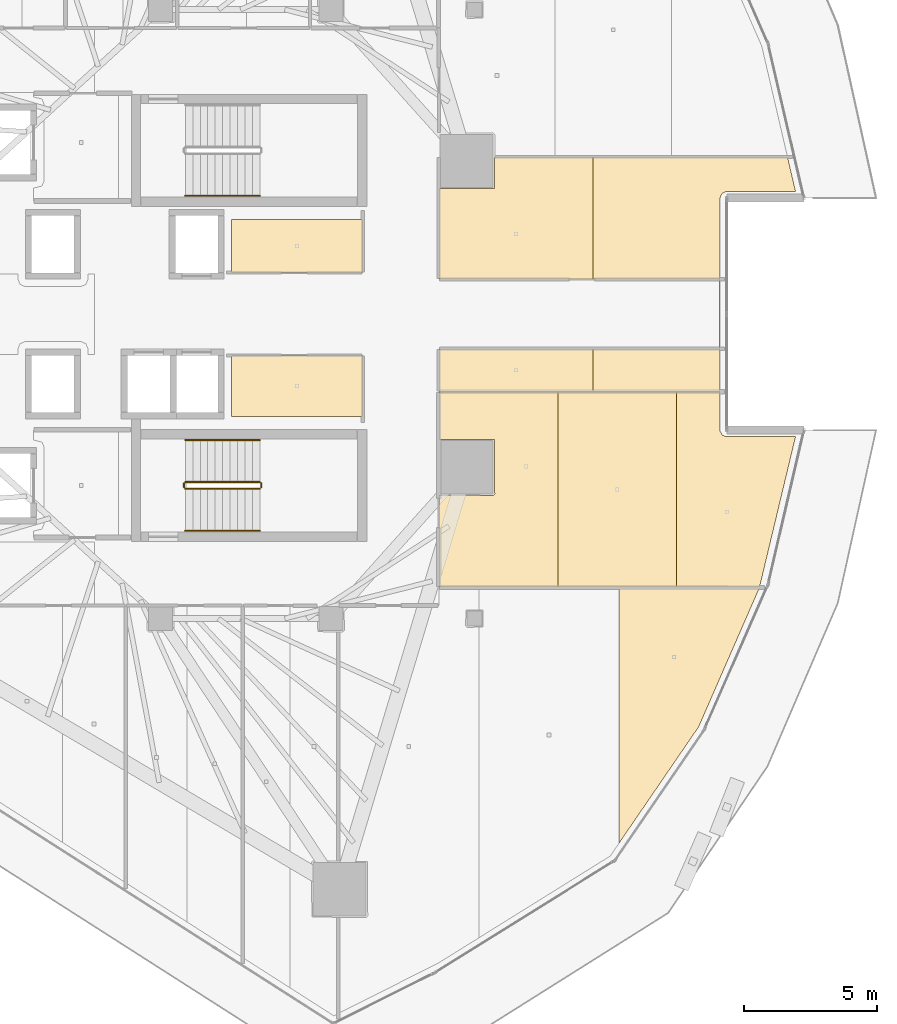
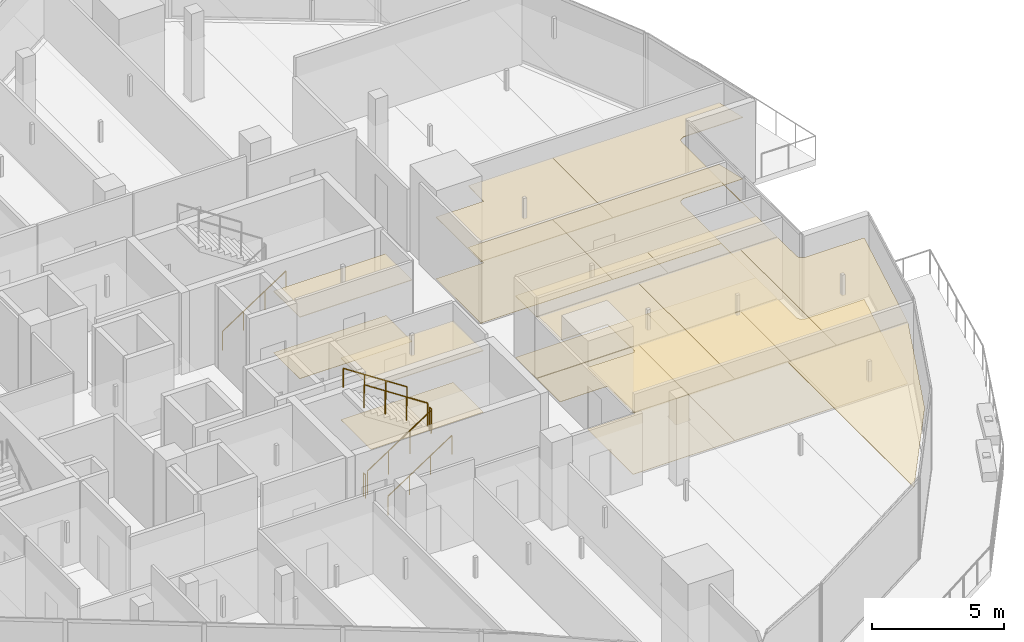
# One storey, part 31 of 33: 17 coverings, 7 railings.
"""IFC4 building model written with IfcOpenShell, lengths in metres."""

import ifcopenshell
import ifcopenshell.guid

model = None  # the IFC model being written
_history = None  # IfcOwnerHistory: only IFC2X3 demands one
_inside = {}  # id of a spatial element -> (the spatial element, [elements in it])
_under = {}  # id of a project, library or spatial element -> (it, [spatial elements below it])
_declared = {}  # id of a project -> (the project, [libraries it declares])
_typed = {}  # id of a type object -> (the type object, [elements of that type])
_made_of = {}  # id of a material, layer set ... -> (it, [elements and type objects made of it])


def new_model(schema):
    """Start an empty IFC model of exactly this schema.

    Asked for "IFC4X3", IfcOpenShell would pick the latest addendum, in which some entities
    have other attributes; the version numbers below select the first issue.
    IFC2X3 requires an IfcOwnerHistory on every rooted entity: one is made here for all.
    """
    global model, _history
    if schema == "IFC4X3":
        model = ifcopenshell.file(schema_version=(4, 3, 0, 0))
    else:
        model = ifcopenshell.file(schema=schema)
    _inside.clear()
    _under.clear()
    _declared.clear()
    _typed.clear()
    _made_of.clear()
    _history = None
    if model.schema == "IFC2X3":
        org = make("IfcOrganization", Name="unknown")
        user = make(
            "IfcPersonAndOrganization",
            ThePerson=make("IfcPerson", FamilyName="unknown"),
            TheOrganization=org,
        )
        app = make(
            "IfcApplication",
            ApplicationDeveloper=org,
            Version="unknown",
            ApplicationFullName="unknown",
            ApplicationIdentifier="unknown",
        )
        _history = make(
            "IfcOwnerHistory",
            OwningUser=user,
            OwningApplication=app,
            ChangeAction="ADDED",
            CreationDate=0,
        )
    return model


def make(cls, **values):
    """One entity of the class cls with the attributes given. An attribute that is None is left unset."""
    return model.create_entity(
        cls, **{name: value for name, value in values.items() if value is not None}
    )


def rooted(cls, **values):
    """An entity with a GlobalId (a new one), such as an element, a storey or a relation."""
    return make(cls, GlobalId=ifcopenshell.guid.new(), OwnerHistory=_history, **values)


def si_unit(unit_type, name, prefix=None):
    """IfcSIUnit, for example si_unit("LENGTHUNIT", "METRE", prefix="MILLI")."""
    return make("IfcSIUnit", UnitType=unit_type, Prefix=prefix, Name=name)


def assignment(units):
    """IfcUnitAssignment: the units of a project."""
    return None if units is None else make("IfcUnitAssignment", Units=units)


def point(xyz):
    """IfcCartesianPoint."""
    return None if xyz is None else make("IfcCartesianPoint", Coordinates=xyz)


def direction(xyz):
    """IfcDirection."""
    return None if xyz is None else make("IfcDirection", DirectionRatios=xyz)


def frame(location, z_axis=None, x_axis=None):
    """IfcAxis2Placement3D, a coordinate frame: its origin and axes. An axis left out is left unset."""
    return make(
        "IfcAxis2Placement3D",
        Location=point(location),
        Axis=direction(z_axis),
        RefDirection=direction(x_axis),
    )


def frame_2d(location, x_axis=None):
    """IfcAxis2Placement2D, a coordinate frame in the plane: its origin and x axis."""
    return make(
        "IfcAxis2Placement2D", Location=point(location), RefDirection=direction(x_axis)
    )


def origin():
    """The frame at (0, 0, 0) with its axes left unset."""
    return frame((0.0, 0.0, 0.0))


def origin_2d():
    """The frame at (0, 0) in the plane with its x axis left unset."""
    return frame_2d((0.0, 0.0))


def place(relative_to, where):
    """IfcLocalPlacement: puts the frame where relative to a parent placement (None: the world)."""
    return make(
        "IfcLocalPlacement", PlacementRelTo=relative_to, RelativePlacement=where
    )


def context(
    kind, dimensions, precision=None, world=None, true_north=None, identifier=None
):
    """IfcGeometricRepresentationContext, for example the 3D "Model" context."""
    return make(
        "IfcGeometricRepresentationContext",
        ContextIdentifier=identifier,
        ContextType=kind,
        CoordinateSpaceDimension=dimensions,
        Precision=precision,
        WorldCoordinateSystem=world,
        TrueNorth=true_north,
    )


def subcontext(parent, identifier, kind, view, scale=None):
    """IfcGeometricRepresentationSubContext, for example "Body" below "Model"."""
    return make(
        "IfcGeometricRepresentationSubContext",
        ContextIdentifier=identifier,
        ContextType=kind,
        ParentContext=parent,
        TargetScale=scale,
        TargetView=view,
    )


def project(units=None, contexts=None):
    """IfcProject with its units and contexts."""
    return rooted(
        "IfcProject",
        Name="project",
        RepresentationContexts=contexts,
        UnitsInContext=assignment(units),
    )


def spatial(cls, under=None, at=None, **own):
    """A site, building, storey or space (cls), placed at a placement, below another one or the project."""
    s = rooted(cls, ObjectPlacement=at, **own)
    if under is not None:
        _under.setdefault(under.id(), (under, []))[1].append(s)
    return s


def polyline(points):
    """IfcPolyline through the points."""
    return make("IfcPolyline", Points=[point(p) for p in points])


def profile(cls, at=None, kind="AREA", **sizes):
    """A parametric profile (cls). Its sizes go by their IFC names, for example OverallWidth=200.0."""
    return make(cls, ProfileType=kind, Position=at, **sizes)


def circle(**sizes):
    """IfcCircleProfileDef."""
    return profile("IfcCircleProfileDef", **sizes)


def outline(outer, holes=None, kind="AREA"):
    """IfcArbitraryClosedProfileDef: a profile drawn as a closed curve; with holes, ...WithVoids."""
    if holes is None:
        return make("IfcArbitraryClosedProfileDef", ProfileType=kind, OuterCurve=outer)
    return make(
        "IfcArbitraryProfileDefWithVoids",
        ProfileType=kind,
        OuterCurve=outer,
        InnerCurves=holes,
    )


def extrude(swept, where, along, depth):
    """IfcExtrudedAreaSolid: the profile swept, set in the frame where, extruded along a direction by depth."""
    return make(
        "IfcExtrudedAreaSolid",
        SweptArea=swept,
        Position=where,
        ExtrudedDirection=direction(along),
        Depth=depth,
    )


def shape(context_of_items, identifier, shape_type, items):
    """IfcShapeRepresentation: the items that make up one representation, for example the "Body"."""
    return make(
        "IfcShapeRepresentation",
        ContextOfItems=context_of_items,
        RepresentationIdentifier=identifier,
        RepresentationType=shape_type,
        Items=items,
    )


def material(Name=None, Category=None):
    """IfcMaterial."""
    return make("IfcMaterial", Name=Name, Category=Category)


def layer(
    of_material, thickness, ventilated=None, Name=None, Category=None, Priority=None
):
    """IfcMaterialLayer: one layer of a wall or slab, of a material (None: an air gap)."""
    return make(
        "IfcMaterialLayer",
        Material=of_material,
        LayerThickness=thickness,
        IsVentilated=ventilated,
        Name=Name,
        Category=Category,
        Priority=Priority,
    )


def layer_set(layers, Name=None):
    """IfcMaterialLayerSet."""
    return make("IfcMaterialLayerSet", MaterialLayers=layers, LayerSetName=Name)


def made_of(thing, what):
    """Note that an element or type object is made of a material, layer set ...; save() writes the relation."""
    if what is not None:
        _made_of.setdefault(what.id(), (what, []))[1].append(thing)
    return thing


def type_object(cls, material=None, **own):
    """A type object (cls), such as IfcWallType, which elements share."""
    return made_of(rooted(cls, **own), material)


def element(
    cls,
    number,
    at=None,
    inside=None,
    cuts=None,
    type_object=None,
    material=None,
    context=None,
    identifier="Body",
    shape_type=None,
    held_by="IfcProductDefinitionShape",
    body=None,
    shapes=None,
    **own,
):
    """One element of the class cls, such as IfcWall. Its Tag is "e" and its number.

    at: its placement. inside: the storey or other place that contains it. cuts: it is an
    opening in that element (IfcRelVoidsElement). A single representation is given by context,
    identifier, shape_type and body (its items); several are given by shapes. held_by: the class
    of the entity that holds the representations. save() writes the other relations.
    """
    e = rooted(cls, Tag="e%d" % number, ObjectPlacement=at, **own)
    if body is not None:
        shapes = [shape(context, identifier, shape_type, body)]
    if shapes is not None:
        e.Representation = make(held_by, Representations=shapes)
    if inside is not None:
        _inside.setdefault(inside.id(), (inside, []))[1].append(e)
    if cuts is not None:
        rooted(
            "IfcRelVoidsElement", RelatingBuildingElement=cuts, RelatedOpeningElement=e
        )
    if type_object is not None:
        _typed.setdefault(type_object.id(), (type_object, []))[1].append(e)
    return made_of(e, material)


def aggregate(whole, parts):
    """IfcRelAggregates: a whole, such as a stair, and the parts it consists of."""
    return rooted("IfcRelAggregates", RelatingObject=whole, RelatedObjects=parts)


def save(model, path):
    """Write the relations noted so far, then the file.

    IfcRelAggregates (storeys below a building ...), IfcRelContainedInSpatialStructure (elements
    in a storey), IfcRelDefinesByType, IfcRelAssociatesMaterial and IfcRelDeclares: one each for
    every whole, place, type object, material and project.
    """
    for whole, parts in _under.values():
        aggregate(whole, parts)
    for where, things in _inside.values():
        rooted(
            "IfcRelContainedInSpatialStructure",
            RelatedElements=things,
            RelatingStructure=where,
        )
    for kind, things in _typed.values():
        rooted("IfcRelDefinesByType", RelatedObjects=things, RelatingType=kind)
    for what, things in _made_of.values():
        rooted("IfcRelAssociatesMaterial", RelatedObjects=things, RelatingMaterial=what)
    for by, libraries in _declared.values():
        rooted("IfcRelDeclares", RelatingContext=by, RelatedDefinitions=libraries)
    model.write(path)


model = new_model("IFC4")

# Units and contexts
model_context = context("Model", 3, precision=1e-05, world=origin(), true_north=direction((0.0, 1.0)))
body_context = subcontext(model_context, "Body", "Model", "MODEL_VIEW")
ifc_project = project(units=[si_unit("LENGTHUNIT", "METRE"), si_unit("AREAUNIT", "SQUARE_METRE"), si_unit("VOLUMEUNIT", "CUBIC_METRE"), si_unit("PLANEANGLEUNIT", "RADIAN"), si_unit("MASSUNIT", "GRAM", prefix="KILO")], contexts=[model_context])

# Site, building, storey
site_placement = place(None, origin())
site = spatial("IfcSite", under=ifc_project, at=site_placement, CompositionType="ELEMENT")
building_placement = place(site_placement, origin())
building = spatial("IfcBuilding", under=site, at=building_placement, Name="Qorvath Tower", CompositionType="ELEMENT")
storey_placement = place(building_placement, frame((0.0, 0.0, 209.10009765625)))
storey = spatial("IfcBuildingStorey", under=building, at=storey_placement, Name="L48", CompositionType="ELEMENT", Elevation=209.10009765625)

# Coverings
ifc_material_1 = material(Name="Acoustic mineral fibre ceiling tile", Category="gypsum")
ifc_layer_1 = layer(ifc_material_1, 0.030029296875)
ifc_layer_set_1 = layer_set([ifc_layer_1], Name="COV-CEIL")
covering_type_1 = type_object("IfcCoveringType", Name="COV-CEIL", PredefinedType="CEILING", material=ifc_layer_set_1)
covering_1_placement = place(storey_placement, frame((0.0, 0.0, 2.849853515625)))
element("IfcCovering", 1, at=covering_1_placement, inside=storey, type_object=covering_type_1, Name="L48 Suspended Acoustic Ceiling 003", PredefinedType="CEILING", context=body_context, shape_type="SweptSolid", body=[
    extrude(outline(polyline([(-16.0048828125, 3.56005859375), (-20.93994140625, 3.56005859375), (-20.93994140625, 1.56494140625), (-16.0048828125, 1.56494140625), (-16.0048828125, 3.56005859375)])), origin(), (0.0, 0.0, 1.0), 0.030029296875),
])
covering_2_placement = place(storey_placement, frame((0.0, 0.0, 2.849853515625)))
element("IfcCovering", 2, at=covering_2_placement, inside=storey, type_object=covering_type_1, Name="L48 Suspended Acoustic Ceiling 004", PredefinedType="CEILING", context=body_context, shape_type="SweptSolid", body=[
    extrude(outline(polyline([(-20.93994140625, -1.56494140625), (-20.93994140625, -3.85009765625), (-16.0048828125, -3.85009765625), (-16.0048828125, -1.56494140625), (-20.93994140625, -1.56494140625)])), origin(), (0.0, 0.0, 1.0), 0.030029296875),
])
covering_3_placement = place(storey_placement, frame((0.0, 0.0, 2.849853515625)))
element("IfcCovering", 3, at=covering_3_placement, inside=storey, type_object=covering_type_1, Name="L48 Suspended Acoustic Ceiling 030", PredefinedType="CEILING", context=body_context, shape_type="SweptSolid", body=[
    extrude(outline(polyline([(-6.35595703125, -10.28173828125), (-6.35595703125, -19.885498046875), (-3.366943359375, -15.516845703125), (-1.0810546875, -10.283935546875), (-6.35595703125, -10.28173828125)])), origin(), (0.0, 0.0, 1.0), 0.030029296875),
])
covering_4_placement = place(storey_placement, frame((0.0, 0.0, 2.849853515625)))
element("IfcCovering", 4, at=covering_4_placement, inside=storey, type_object=covering_type_1, Name="L48 Suspended Acoustic Ceiling 031", PredefinedType="CEILING", context=body_context, shape_type="SweptSolid", body=[
    extrude(outline(polyline([(-8.6669921875, -10.262939453125), (-8.6669921875, -2.930908203125), (-13.136962890625, -2.930908203125), (-13.136962890625, -4.714599609375), (-11.054443359375, -4.715576171875), (-11.036865234375, -6.7578125), (-11.0966796875, -6.81787109375), (-13.136962890625, -6.80126953125), (-13.136962890625, -10.26123046875), (-8.6669921875, -10.262939453125)])), origin(), (0.0, 0.0, 1.0), 0.030029296875),
])
covering_5_placement = place(storey_placement, frame((0.0, 0.0, 2.849853515625)))
element("IfcCovering", 5, at=covering_5_placement, inside=storey, type_object=covering_type_1, Name="L48 Suspended Acoustic Ceiling 032", PredefinedType="CEILING", context=body_context, shape_type="SweptSolid", body=[
    extrude(outline(polyline([(-4.197021484375, -10.2646484375), (-4.197021484375, -2.930908203125), (-8.6669921875, -2.930908203125), (-8.6669921875, -10.262939453125), (-4.197021484375, -10.2646484375)])), origin(), (0.0, 0.0, 1.0), 0.030029296875),
])
covering_6_placement = place(storey_placement, frame((0.0, 0.0, 2.849853515625)))
element("IfcCovering", 6, at=covering_6_placement, inside=storey, type_object=covering_type_1, Name="L48 Suspended Acoustic Ceiling 033", PredefinedType="CEILING", context=body_context, shape_type="SweptSolid", body=[
    extrude(outline(polyline([(-2.473876953125, -4.5537109375), (-2.56103515625, -4.406494140625), (-2.56591796875, -2.930908203125), (-4.197021484375, -2.930908203125), (-4.197021484375, -10.2646484375), (-1.079345703125, -10.265869140625), (0.273193359375, -4.61279296875), (-2.33544921875, -4.611572265625), (-2.473876953125, -4.5537109375)])), origin(), (0.0, 0.0, 1.0), 0.030029296875),
])
covering_7_placement = place(storey_placement, frame((0.0, 0.0, 2.849853515625)))
element("IfcCovering", 7, at=covering_7_placement, inside=storey, type_object=covering_type_1, Name="L48 Suspended Acoustic Ceiling 034", PredefinedType="CEILING", context=body_context, shape_type="SweptSolid", body=[
    extrude(outline(polyline([(-7.342529296875, 1.31298828125), (-7.342529296875, 5.900390625), (-11.036865234375, 5.900390625), (-11.054443359375, 4.715576171875), (-13.136962890625, 4.714599609375), (-13.136962890625, 1.31298828125), (-7.342529296875, 1.31298828125)])), origin(), (0.0, 0.0, 1.0), 0.030029296875),
])
covering_8_placement = place(storey_placement, frame((0.0, 0.0, 2.849853515625)))
element("IfcCovering", 8, at=covering_8_placement, inside=storey, type_object=covering_type_1, Name="L48 Suspended Acoustic Ceiling 035", PredefinedType="CEILING", context=body_context, shape_type="SweptSolid", body=[
    extrude(outline(polyline([(-7.342529296875, -2.912841796875), (-7.342529296875, -1.310302734375), (-13.136962890625, -1.31298828125), (-13.136962890625, -2.912841796875), (-7.342529296875, -2.912841796875)])), origin(), (0.0, 0.0, 1.0), 0.030029296875),
])
covering_9_placement = place(storey_placement, frame((0.0, 0.0, 2.849853515625)))
element("IfcCovering", 9, at=covering_9_placement, inside=storey, type_object=covering_type_1, Name="L48 Suspended Acoustic Ceiling 036", PredefinedType="CEILING", context=body_context, shape_type="SweptSolid", body=[
    extrude(outline(polyline([(-2.506591796875, 4.520751953125), (-2.33544921875, 4.611572265625), (0.273193359375, 4.61279296875), (-0.026611328125, 5.900390625), (-7.342529296875, 5.900390625), (-7.342529296875, 1.31298828125), (-2.5830078125, 1.31298828125), (-2.577880859375, -1.30810546875), (-7.342529296875, -1.310302734375), (-7.342529296875, -2.912841796875), (-2.56591796875, -2.912841796875), (-2.56591796875, 4.35791015625), (-2.506591796875, 4.520751953125)])), origin(), (0.0, 0.0, 1.0), 0.030029296875),
])
ifc_material_2 = material(Name="Low-VOC modular carpet tile", Category="textile")
ifc_layer_2 = layer(ifc_material_2, 0.014892578125)
ifc_layer_set_2 = layer_set([ifc_layer_2], Name="COV-FLOOR-CPT")
covering_type_2 = type_object("IfcCoveringType", Name="COV-FLOOR-CPT", PredefinedType="FLOORING", material=ifc_layer_set_2)
covering_10_placement = place(storey_placement, origin())
element("IfcCovering", 10, at=covering_10_placement, inside=storey, type_object=covering_type_2, Name="L48 Floor Finish 003", PredefinedType="FLOORING", context=body_context, shape_type="SweptSolid", body=[
    extrude(outline(polyline([(-16.0048828125, 3.56005859375), (-20.93994140625, 3.56005859375), (-20.93994140625, 1.56494140625), (-16.0048828125, 1.56494140625), (-16.0048828125, 3.56005859375)])), origin(), (0.0, 0.0, 1.0), 0.014892578125),
])
covering_11_placement = place(storey_placement, origin())
element("IfcCovering", 11, at=covering_11_placement, inside=storey, type_object=covering_type_2, Name="L48 Floor Finish 004", PredefinedType="FLOORING", context=body_context, shape_type="SweptSolid", body=[
    extrude(outline(polyline([(-20.93994140625, -1.56494140625), (-20.93994140625, -3.85009765625), (-16.0048828125, -3.85009765625), (-16.0048828125, -1.56494140625), (-20.93994140625, -1.56494140625)])), origin(), (0.0, 0.0, 1.0), 0.014892578125),
])
covering_12_placement = place(storey_placement, origin())
element("IfcCovering", 12, at=covering_12_placement, inside=storey, type_object=covering_type_2, Name="L48 Floor Finish 031", PredefinedType="FLOORING", context=body_context, shape_type="SweptSolid", body=[
    extrude(outline(polyline([(-8.6669921875, -10.262939453125), (-8.6669921875, -2.930908203125), (-13.136962890625, -2.930908203125), (-13.136962890625, -4.714599609375), (-11.054443359375, -4.715576171875), (-11.036865234375, -6.7578125), (-11.0966796875, -6.81787109375), (-13.136962890625, -6.80126953125), (-13.136962890625, -10.26123046875), (-8.6669921875, -10.262939453125)])), origin(), (0.0, 0.0, 1.0), 0.014892578125),
])
covering_13_placement = place(storey_placement, origin())
element("IfcCovering", 13, at=covering_13_placement, inside=storey, type_object=covering_type_2, Name="L48 Floor Finish 032", PredefinedType="FLOORING", context=body_context, shape_type="SweptSolid", body=[
    extrude(outline(polyline([(-4.197021484375, -10.2646484375), (-4.197021484375, -2.930908203125), (-8.6669921875, -2.930908203125), (-8.6669921875, -10.262939453125), (-4.197021484375, -10.2646484375)])), origin(), (0.0, 0.0, 1.0), 0.014892578125),
])
covering_14_placement = place(storey_placement, origin())
element("IfcCovering", 14, at=covering_14_placement, inside=storey, type_object=covering_type_2, Name="L48 Floor Finish 033", PredefinedType="FLOORING", context=body_context, shape_type="SweptSolid", body=[
    extrude(outline(polyline([(-2.473876953125, -4.5537109375), (-2.56103515625, -4.406494140625), (-2.56591796875, -2.930908203125), (-4.197021484375, -2.930908203125), (-4.197021484375, -10.2646484375), (-1.079345703125, -10.265869140625), (0.273193359375, -4.61279296875), (-2.33544921875, -4.611572265625), (-2.473876953125, -4.5537109375)])), origin(), (0.0, 0.0, 1.0), 0.014892578125),
])
covering_15_placement = place(storey_placement, origin())
element("IfcCovering", 15, at=covering_15_placement, inside=storey, type_object=covering_type_2, Name="L48 Floor Finish 034", PredefinedType="FLOORING", context=body_context, shape_type="SweptSolid", body=[
    extrude(outline(polyline([(-7.342529296875, 1.31298828125), (-7.342529296875, 5.900390625), (-11.036865234375, 5.900390625), (-11.054443359375, 4.715576171875), (-13.136962890625, 4.714599609375), (-13.136962890625, 1.31298828125), (-7.342529296875, 1.31298828125)])), origin(), (0.0, 0.0, 1.0), 0.014892578125),
])
covering_16_placement = place(storey_placement, origin())
element("IfcCovering", 16, at=covering_16_placement, inside=storey, type_object=covering_type_2, Name="L48 Floor Finish 035", PredefinedType="FLOORING", context=body_context, shape_type="SweptSolid", body=[
    extrude(outline(polyline([(-7.342529296875, -2.912841796875), (-7.342529296875, -1.310302734375), (-13.136962890625, -1.31298828125), (-13.136962890625, -2.912841796875), (-7.342529296875, -2.912841796875)])), origin(), (0.0, 0.0, 1.0), 0.014892578125),
])
covering_17_placement = place(storey_placement, origin())
element("IfcCovering", 17, at=covering_17_placement, inside=storey, type_object=covering_type_2, Name="L48 Floor Finish 036", PredefinedType="FLOORING", context=body_context, shape_type="SweptSolid", body=[
    extrude(outline(polyline([(-2.506591796875, 4.520751953125), (-2.33544921875, 4.611572265625), (0.273193359375, 4.61279296875), (-0.026611328125, 5.900390625), (-7.342529296875, 5.900390625), (-7.342529296875, 1.31298828125), (-2.5830078125, 1.31298828125), (-2.577880859375, -1.30810546875), (-7.342529296875, -1.310302734375), (-7.342529296875, -2.912841796875), (-2.56591796875, -2.912841796875), (-2.56591796875, 4.35791015625), (-2.506591796875, 4.520751953125)])), origin(), (0.0, 0.0, 1.0), 0.014892578125),
])

# Railings
ifc_material_3 = material(Name="Painted galvanised steel", Category="steel")
railing_type_1 = type_object("IfcRailingType", Name="RL-STR-GRD", PredefinedType="GUARDRAIL", material=ifc_material_3)
railing_1_placement = place(storey_placement, frame((-22.669921875, -6.570068359375, 0.18408203125)))
element("IfcRailing", 18, at=railing_1_placement, inside=storey, type_object=railing_type_1, Name="L48 TS2 stair guard 1", PredefinedType="GUARDRAIL", context=body_context, shape_type="SweptSolid", body=[
    extrude(circle(Radius=0.02392578125, at=origin_2d()), frame((0.0, 0.0, 1.076171875), z_axis=(0.835575518608, 0.0, 0.549375602573), x_axis=(0.0, 1.0, 0.0)), (0.0, 0.0, 1.0), 3.350830078125),
    extrude(circle(Radius=0.02099609375, at=origin_2d()), origin(), (0.0, 0.0, 1.0), 1.052001953125),
    extrude(circle(Radius=0.02099609375, at=origin_2d()), frame((0.933349609375, 0.0, 0.613525390625)), (0.0, 0.0, 1.0), 1.052001953125),
    extrude(circle(Radius=0.02099609375, at=origin_2d()), frame((1.866455078125, 0.0, 1.227294921875)), (0.0, 0.0, 1.0), 1.052001953125),
    extrude(circle(Radius=0.02099609375, at=origin_2d()), frame((2.7998046875, 0.0, 1.8408203125)), (0.0, 0.0, 1.0), 1.052001953125),
])
railing_2_placement = place(storey_placement, frame((-19.820068359375, -6.52001953125, 2.02490234375)))
element("IfcRailing", 19, at=railing_2_placement, inside=storey, type_object=railing_type_1, Name="L48 TS2 stair guard 2", PredefinedType="GUARDRAIL", context=body_context, shape_type="SweptSolid", body=[
    extrude(circle(Radius=0.02392578125, at=origin_2d()), frame((0.0, 0.0, 1.076171875), z_axis=(0.0, 1.0, 0.0), x_axis=(-1.0, 0.0, 0.0)), (0.0, 0.0, 1.0), 0.14990234375),
    extrude(circle(Radius=0.02099609375, at=origin_2d()), origin(), (0.0, 0.0, 1.0), 1.052001953125),
    extrude(circle(Radius=0.02099609375, at=origin_2d()), frame((0.0, 0.14990234375, 0.0)), (0.0, 0.0, 1.0), 1.052001953125),
])
railing_3_placement = place(storey_placement, frame((-19.8701171875, -6.320068359375, 2.208984375)))
element("IfcRailing", 20, at=railing_3_placement, inside=storey, type_object=railing_type_1, Name="L48 TS2 stair guard 3", PredefinedType="GUARDRAIL", context=body_context, shape_type="SweptSolid", body=[
    extrude(circle(Radius=0.02392578125, at=origin_2d()), frame((0.0, 0.0, 1.076171875), z_axis=(-0.835575518608, 0.0, 0.549375602573), x_axis=(0.0, -1.0, 0.0)), (0.0, 0.0, 1.0), 3.350830078125),
    extrude(circle(Radius=0.02099609375, at=origin_2d()), origin(), (0.0, 0.0, 1.0), 1.052001953125),
    extrude(circle(Radius=0.02099609375, at=origin_2d()), frame((-0.933349609375, 0.0, 0.613525390625)), (0.0, 0.0, 1.0), 1.052001953125),
    extrude(circle(Radius=0.02099609375, at=origin_2d()), frame((-1.866455078125, 0.0, 1.227294921875)), (0.0, 0.0, 1.0), 1.052001953125),
    extrude(circle(Radius=0.02099609375, at=origin_2d()), frame((-2.7998046875, 0.0, 1.8408203125)), (0.0, 0.0, 1.0), 1.052001953125),
])
railing_4_placement = place(storey_placement, frame((-22.719970703125, -6.52001953125, 0.0)))
element("IfcRailing", 21, at=railing_4_placement, inside=storey, type_object=railing_type_1, Name="L48 TS2 stair guard 4", PredefinedType="GUARDRAIL", context=body_context, shape_type="SweptSolid", body=[
    extrude(circle(Radius=0.02392578125, at=origin_2d()), frame((0.0, 0.0, 1.076171875), z_axis=(0.0, 1.0, 0.0), x_axis=(-1.0, 0.0, 0.0)), (0.0, 0.0, 1.0), 0.14990234375),
    extrude(circle(Radius=0.02099609375, at=origin_2d()), origin(), (0.0, 0.0, 1.0), 1.052001953125),
    extrude(circle(Radius=0.02099609375, at=origin_2d()), frame((0.0, 0.14990234375, 0.0)), (0.0, 0.0, 1.0), 1.052001953125),
])
ifc_material_4 = material(Name="Brushed stainless steel AISI 304", Category="steel")
railing_type_2 = type_object("IfcRailingType", Name="RL-STR-HND", PredefinedType="HANDRAIL", material=ifc_material_4)
for number, where, name in (
    (22, (-22.669921875, 4.449951171875, 0.18408203125), "L48 TS1 stair handrail 1"),
    (23, (-22.669921875, -8.14990234375, 0.18408203125), "L48 TS2 stair handrail 1"),
):
    element("IfcRailing", number, at=place(storey_placement, frame(where)), inside=storey, type_object=railing_type_2, Name=name, PredefinedType="HANDRAIL", context=body_context, shape_type="SweptSolid", body=[
        extrude(circle(Radius=0.02392578125, at=origin_2d()), frame((0.0, 0.0, 0.8759765625), z_axis=(0.835575518608, 0.0, 0.549375602573), x_axis=(0.0, 1.0, 0.0)), (0.0, 0.0, 1.0), 3.350830078125),
        extrude(circle(Radius=0.02099609375, at=origin_2d()), origin(), (0.0, 0.0, 1.0), 0.851806640625),
        extrude(circle(Radius=0.02099609375, at=origin_2d()), frame((0.933349609375, 0.0, 0.613525390625)), (0.0, 0.0, 1.0), 0.851806640625),
        extrude(circle(Radius=0.02099609375, at=origin_2d()), frame((1.866455078125, 0.0, 1.227294921875)), (0.0, 0.0, 1.0), 0.851806640625),
        extrude(circle(Radius=0.02099609375, at=origin_2d()), frame((2.7998046875, 0.0, 1.8408203125)), (0.0, 0.0, 1.0), 0.851806640625),
    ])
railing_5_placement = place(storey_placement, frame((-19.8701171875, -4.739990234375, 2.208984375)))
element("IfcRailing", 24, at=railing_5_placement, inside=storey, type_object=railing_type_2, Name="L48 TS2 stair handrail 2", PredefinedType="HANDRAIL", context=body_context, shape_type="SweptSolid", body=[
    extrude(circle(Radius=0.02392578125, at=origin_2d()), frame((0.0, 0.0, 0.8759765625), z_axis=(-0.835575518608, 0.0, 0.549375602573), x_axis=(0.0, -1.0, 0.0)), (0.0, 0.0, 1.0), 3.350830078125),
    extrude(circle(Radius=0.02099609375, at=origin_2d()), origin(), (0.0, 0.0, 1.0), 0.851806640625),
    extrude(circle(Radius=0.02099609375, at=origin_2d()), frame((-0.933349609375, 0.0, 0.613525390625)), (0.0, 0.0, 1.0), 0.851806640625),
    extrude(circle(Radius=0.02099609375, at=origin_2d()), frame((-1.866455078125, 0.0, 1.227294921875)), (0.0, 0.0, 1.0), 0.851806640625),
    extrude(circle(Radius=0.02099609375, at=origin_2d()), frame((-2.7998046875, 0.0, 1.8408203125)), (0.0, 0.0, 1.0), 0.851806640625),
])

save(model, "model.ifc")
